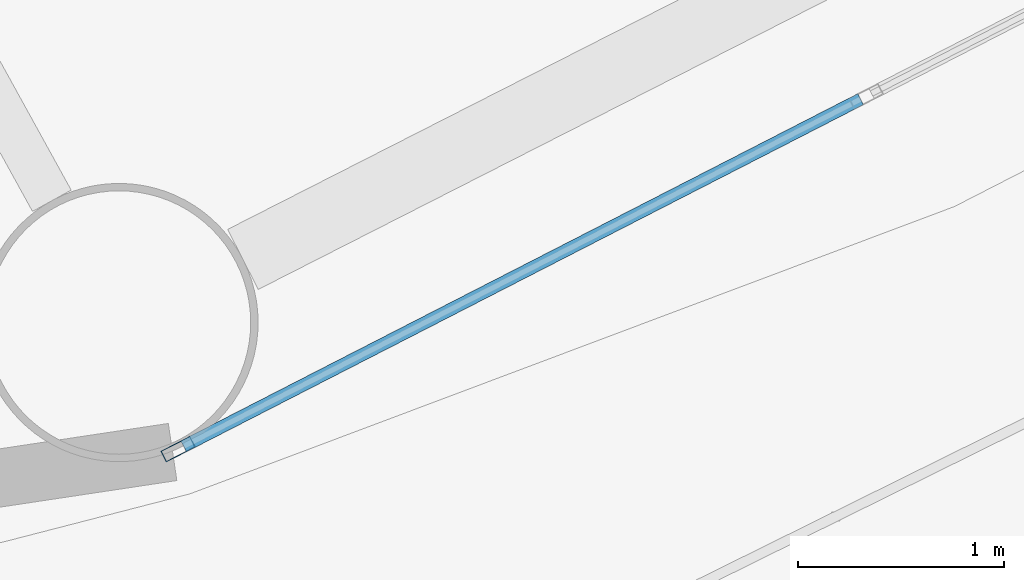
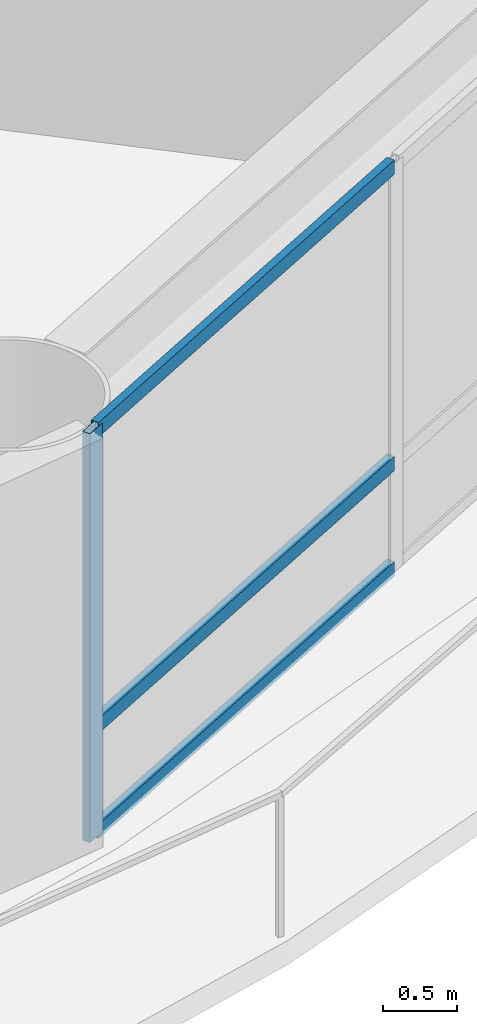
# One storey, part 6 of 26: 4 members, 1 element without a shape of its own.
"""IFC4 building model written with IfcOpenShell, lengths in metres."""

import ifcopenshell
import ifcopenshell.guid

model = None  # the IFC model being written
_history = None  # IfcOwnerHistory: only IFC2X3 demands one
_inside = {}  # id of a spatial element -> (the spatial element, [elements in it])
_under = {}  # id of a project, library or spatial element -> (it, [spatial elements below it])
_declared = {}  # id of a project -> (the project, [libraries it declares])
_typed = {}  # id of a type object -> (the type object, [elements of that type])
_made_of = {}  # id of a material, layer set ... -> (it, [elements and type objects made of it])


def new_model(schema):
    """Start an empty IFC model of exactly this schema.

    Asked for "IFC4X3", IfcOpenShell would pick the latest addendum, in which some entities
    have other attributes; the version numbers below select the first issue.
    IFC2X3 requires an IfcOwnerHistory on every rooted entity: one is made here for all.
    """
    global model, _history
    if schema == "IFC4X3":
        model = ifcopenshell.file(schema_version=(4, 3, 0, 0))
    else:
        model = ifcopenshell.file(schema=schema)
    _inside.clear()
    _under.clear()
    _declared.clear()
    _typed.clear()
    _made_of.clear()
    _history = None
    if model.schema == "IFC2X3":
        org = make("IfcOrganization", Name="unknown")
        user = make(
            "IfcPersonAndOrganization",
            ThePerson=make("IfcPerson", FamilyName="unknown"),
            TheOrganization=org,
        )
        app = make(
            "IfcApplication",
            ApplicationDeveloper=org,
            Version="unknown",
            ApplicationFullName="unknown",
            ApplicationIdentifier="unknown",
        )
        _history = make(
            "IfcOwnerHistory",
            OwningUser=user,
            OwningApplication=app,
            ChangeAction="ADDED",
            CreationDate=0,
        )
    return model


def make(cls, **values):
    """One entity of the class cls with the attributes given. An attribute that is None is left unset."""
    return model.create_entity(
        cls, **{name: value for name, value in values.items() if value is not None}
    )


def rooted(cls, **values):
    """An entity with a GlobalId (a new one), such as an element, a storey or a relation."""
    return make(cls, GlobalId=ifcopenshell.guid.new(), OwnerHistory=_history, **values)


def si_unit(unit_type, name, prefix=None):
    """IfcSIUnit, for example si_unit("LENGTHUNIT", "METRE", prefix="MILLI")."""
    return make("IfcSIUnit", UnitType=unit_type, Prefix=prefix, Name=name)


def assignment(units):
    """IfcUnitAssignment: the units of a project."""
    return None if units is None else make("IfcUnitAssignment", Units=units)


def point(xyz):
    """IfcCartesianPoint."""
    return None if xyz is None else make("IfcCartesianPoint", Coordinates=xyz)


def direction(xyz):
    """IfcDirection."""
    return None if xyz is None else make("IfcDirection", DirectionRatios=xyz)


def frame(location, z_axis=None, x_axis=None):
    """IfcAxis2Placement3D, a coordinate frame: its origin and axes. An axis left out is left unset."""
    return make(
        "IfcAxis2Placement3D",
        Location=point(location),
        Axis=direction(z_axis),
        RefDirection=direction(x_axis),
    )


def frame_2d(location, x_axis=None):
    """IfcAxis2Placement2D, a coordinate frame in the plane: its origin and x axis."""
    return make(
        "IfcAxis2Placement2D", Location=point(location), RefDirection=direction(x_axis)
    )


def origin():
    """The frame at (0, 0, 0) with its axes left unset."""
    return frame((0.0, 0.0, 0.0))


def origin_2d():
    """The frame at (0, 0) in the plane with its x axis left unset."""
    return frame_2d((0.0, 0.0))


def place(relative_to, where):
    """IfcLocalPlacement: puts the frame where relative to a parent placement (None: the world)."""
    return make(
        "IfcLocalPlacement", PlacementRelTo=relative_to, RelativePlacement=where
    )


def context(
    kind, dimensions, precision=None, world=None, true_north=None, identifier=None
):
    """IfcGeometricRepresentationContext, for example the 3D "Model" context."""
    return make(
        "IfcGeometricRepresentationContext",
        ContextIdentifier=identifier,
        ContextType=kind,
        CoordinateSpaceDimension=dimensions,
        Precision=precision,
        WorldCoordinateSystem=world,
        TrueNorth=true_north,
    )


def subcontext(parent, identifier, kind, view, scale=None):
    """IfcGeometricRepresentationSubContext, for example "Body" below "Model"."""
    return make(
        "IfcGeometricRepresentationSubContext",
        ContextIdentifier=identifier,
        ContextType=kind,
        ParentContext=parent,
        TargetScale=scale,
        TargetView=view,
    )


def project(units=None, contexts=None):
    """IfcProject with its units and contexts."""
    return rooted(
        "IfcProject",
        Name="project",
        RepresentationContexts=contexts,
        UnitsInContext=assignment(units),
    )


def spatial(cls, under=None, at=None, **own):
    """A site, building, storey or space (cls), placed at a placement, below another one or the project."""
    s = rooted(cls, ObjectPlacement=at, **own)
    if under is not None:
        _under.setdefault(under.id(), (under, []))[1].append(s)
    return s


def profile(cls, at=None, kind="AREA", **sizes):
    """A parametric profile (cls). Its sizes go by their IFC names, for example OverallWidth=200.0."""
    return make(cls, ProfileType=kind, Position=at, **sizes)


def hollow_rectangle(**sizes):
    """IfcRectangleHollowProfileDef."""
    return profile("IfcRectangleHollowProfileDef", **sizes)


def extrude(swept, where, along, depth):
    """IfcExtrudedAreaSolid: the profile swept, set in the frame where, extruded along a direction by depth."""
    return make(
        "IfcExtrudedAreaSolid",
        SweptArea=swept,
        Position=where,
        ExtrudedDirection=direction(along),
        Depth=depth,
    )


def shape(context_of_items, identifier, shape_type, items):
    """IfcShapeRepresentation: the items that make up one representation, for example the "Body"."""
    return make(
        "IfcShapeRepresentation",
        ContextOfItems=context_of_items,
        RepresentationIdentifier=identifier,
        RepresentationType=shape_type,
        Items=items,
    )


def material(Name=None, Category=None):
    """IfcMaterial."""
    return make("IfcMaterial", Name=Name, Category=Category)


def layer(
    of_material, thickness, ventilated=None, Name=None, Category=None, Priority=None
):
    """IfcMaterialLayer: one layer of a wall or slab, of a material (None: an air gap)."""
    return make(
        "IfcMaterialLayer",
        Material=of_material,
        LayerThickness=thickness,
        IsVentilated=ventilated,
        Name=Name,
        Category=Category,
        Priority=Priority,
    )


def layer_set(layers, Name=None):
    """IfcMaterialLayerSet."""
    return make("IfcMaterialLayerSet", MaterialLayers=layers, LayerSetName=Name)


def material_profile(
    of_material, cross_section, Name=None, Category=None, Priority=None
):
    """IfcMaterialProfile: a cross section and its material."""
    return make(
        "IfcMaterialProfile",
        Name=Name,
        Material=of_material,
        Profile=cross_section,
        Priority=Priority,
        Category=Category,
    )


def profile_set(profiles, Name=None, composite=None):
    """IfcMaterialProfileSet."""
    return make(
        "IfcMaterialProfileSet",
        Name=Name,
        MaterialProfiles=profiles,
        CompositeProfile=composite,
    )


def made_of(thing, what):
    """Note that an element or type object is made of a material, layer set ...; save() writes the relation."""
    if what is not None:
        _made_of.setdefault(what.id(), (what, []))[1].append(thing)
    return thing


def type_object(cls, material=None, **own):
    """A type object (cls), such as IfcWallType, which elements share."""
    return made_of(rooted(cls, **own), material)


def element(
    cls,
    number,
    at=None,
    inside=None,
    cuts=None,
    type_object=None,
    material=None,
    context=None,
    identifier="Body",
    shape_type=None,
    held_by="IfcProductDefinitionShape",
    body=None,
    shapes=None,
    **own,
):
    """One element of the class cls, such as IfcWall. Its Tag is "e" and its number.

    at: its placement. inside: the storey or other place that contains it. cuts: it is an
    opening in that element (IfcRelVoidsElement). A single representation is given by context,
    identifier, shape_type and body (its items); several are given by shapes. held_by: the class
    of the entity that holds the representations. save() writes the other relations.
    """
    e = rooted(cls, Tag="e%d" % number, ObjectPlacement=at, **own)
    if body is not None:
        shapes = [shape(context, identifier, shape_type, body)]
    if shapes is not None:
        e.Representation = make(held_by, Representations=shapes)
    if inside is not None:
        _inside.setdefault(inside.id(), (inside, []))[1].append(e)
    if cuts is not None:
        rooted(
            "IfcRelVoidsElement", RelatingBuildingElement=cuts, RelatedOpeningElement=e
        )
    if type_object is not None:
        _typed.setdefault(type_object.id(), (type_object, []))[1].append(e)
    return made_of(e, material)


def aggregate(whole, parts):
    """IfcRelAggregates: a whole, such as a stair, and the parts it consists of."""
    return rooted("IfcRelAggregates", RelatingObject=whole, RelatedObjects=parts)


def save(model, path):
    """Write the relations noted so far, then the file.

    IfcRelAggregates (storeys below a building ...), IfcRelContainedInSpatialStructure (elements
    in a storey), IfcRelDefinesByType, IfcRelAssociatesMaterial and IfcRelDeclares: one each for
    every whole, place, type object, material and project.
    """
    for whole, parts in _under.values():
        aggregate(whole, parts)
    for where, things in _inside.values():
        rooted(
            "IfcRelContainedInSpatialStructure",
            RelatedElements=things,
            RelatingStructure=where,
        )
    for kind, things in _typed.values():
        rooted("IfcRelDefinesByType", RelatedObjects=things, RelatingType=kind)
    for what, things in _made_of.values():
        rooted("IfcRelAssociatesMaterial", RelatedObjects=things, RelatingMaterial=what)
    for by, libraries in _declared.values():
        rooted("IfcRelDeclares", RelatingContext=by, RelatedDefinitions=libraries)
    model.write(path)


model = new_model("IFC4")

# Units and contexts
model_context = context("Model", 3, precision=1e-05, world=origin(), true_north=direction((0.0, 1.0)))
body_context = subcontext(model_context, "Body", "Model", "MODEL_VIEW")
ifc_project = project(units=[si_unit("LENGTHUNIT", "METRE"), si_unit("AREAUNIT", "SQUARE_METRE"), si_unit("VOLUMEUNIT", "CUBIC_METRE"), si_unit("PLANEANGLEUNIT", "RADIAN"), si_unit("MASSUNIT", "GRAM", prefix="KILO")], contexts=[model_context])

# Site, building, storey
site_placement = place(None, origin())
site = spatial("IfcSite", under=ifc_project, at=site_placement, CompositionType="ELEMENT")
building_placement = place(site_placement, origin())
building = spatial("IfcBuilding", under=site, at=building_placement, Name="Sarneth Arch Tower", CompositionType="ELEMENT")
storey_placement = place(building_placement, frame((0.0, 0.0, 60.60009765625)))
storey = spatial("IfcBuildingStorey", under=building, at=storey_placement, Name="L14", CompositionType="ELEMENT", Elevation=60.60009765625)

# Curtain wall, members
ifc_material_1 = material(Name="Anodised aluminium Type AA25 and solar-control low-e laminated IGU", Category="aluminium")
ifc_layer = layer(ifc_material_1, 0.159912109375)
ifc_layer_set = layer_set([ifc_layer], Name="Anodised aluminium Type AA25 and solar-control low-e laminated IGU")
curtain_wall_type = type_object("IfcCurtainWallType", Name="CW-HOTEL-LOW", PredefinedType="NOTDEFINED", material=ifc_layer_set)
curtain_wall_placement = place(storey_placement, origin())
curtain_wall = element("IfcCurtainWall", 1, at=curtain_wall_placement, inside=storey, type_object=curtain_wall_type, Name="L14 Unitised curtain wall facet 14", PredefinedType="NOTDEFINED")
ifc_material_2 = material(Name="Anodised Aluminium 6063-T6", Category="aluminium")
ifc_material_profile_1 = material_profile(ifc_material_2, hollow_rectangle(XDim=0.06005859375, YDim=0.159912109375, WallThickness=0.00390625, at=origin_2d()), Name="AL-MULL-160x60x4")
ifc_profile_set_1 = profile_set([ifc_material_profile_1], Name="Anodised Aluminium 6063-T6")
member_type_1 = type_object("IfcMemberType", Name="CW-MULLION", PredefinedType="MULLION", material=ifc_profile_set_1)
member_1_placement = place(storey_placement, frame((60.1044921875, 19.951416015625, 0.0), z_axis=(0.0, 0.0, 1.0), x_axis=(-0.456245197127, 0.889854100456, 0.0)))
member_1 = element("IfcMember", 2, at=member_1_placement, type_object=member_type_1, Name="CW-SYS-3 mullion 1", PredefinedType="MULLION", context=body_context, shape_type="SweptSolid", body=[
    extrude(hollow_rectangle(XDim=0.06005859375, YDim=0.159912109375, WallThickness=0.00390625, at=origin_2d()), origin(), (0.0, 0.0, 1.0), 3.3798828125),
])
ifc_material_3 = material(Name="Anodised Aluminium 6063-T6", Category="aluminium")
ifc_material_profile_2 = material_profile(ifc_material_3, hollow_rectangle(XDim=0.06005859375, YDim=0.1201171875, WallThickness=0.00390625, at=origin_2d()), Name="AL-TRAN-120x60x4")
ifc_profile_set_2 = profile_set([ifc_material_profile_2], Name="Anodised Aluminium 6063-T6")
member_type_2 = type_object("IfcMemberType", Name="CW-TRANSOM", PredefinedType="USERDEFINED", material=ifc_profile_set_2)
member_2_placement = place(storey_placement, frame((60.13134765625, 19.965087890625, 0.02978515625), z_axis=(0.889831232102, 0.456289796485, 0.0), x_axis=(-0.456289796485, 0.889831232102, 0.0)))
member_2 = element("IfcMember", 3, at=member_2_placement, type_object=member_type_2, Name="CW-SYS-3 transom 1.1", ObjectType="TRANSOM", PredefinedType="USERDEFINED", context=body_context, shape_type="SweptSolid", body=[
    extrude(hollow_rectangle(XDim=0.06005859375, YDim=0.1201171875, WallThickness=0.00390625, at=origin_2d()), origin(), (0.0, 0.0, 1.0), 3.69189453125),
])
member_3_placement = place(storey_placement, frame((60.13134765625, 19.965087890625, 0.89990234375), z_axis=(0.889831232102, 0.456289796485, 0.0), x_axis=(-0.456289796485, 0.889831232102, 0.0)))
member_3 = element("IfcMember", 4, at=member_3_placement, type_object=member_type_2, Name="CW-SYS-3 transom 1.2", ObjectType="TRANSOM", PredefinedType="USERDEFINED", context=body_context, shape_type="SweptSolid", body=[
    extrude(hollow_rectangle(XDim=0.06005859375, YDim=0.1201171875, WallThickness=0.00390625, at=origin_2d()), origin(), (0.0, 0.0, 1.0), 3.69189453125),
])
member_4_placement = place(storey_placement, frame((60.13134765625, 19.965087890625, 3.349853515625), z_axis=(0.889831232102, 0.456289796485, 0.0), x_axis=(-0.456289796485, 0.889831232102, 0.0)))
member_4 = element("IfcMember", 5, at=member_4_placement, type_object=member_type_2, Name="CW-SYS-3 transom 1.3", ObjectType="TRANSOM", PredefinedType="USERDEFINED", context=body_context, shape_type="SweptSolid", body=[
    extrude(hollow_rectangle(XDim=0.06005859375, YDim=0.1201171875, WallThickness=0.00390625, at=origin_2d()), origin(), (0.0, 0.0, 1.0), 3.69189453125),
])
aggregate(curtain_wall, [member_1, member_2, member_3, member_4])

save(model, "model.ifc")
